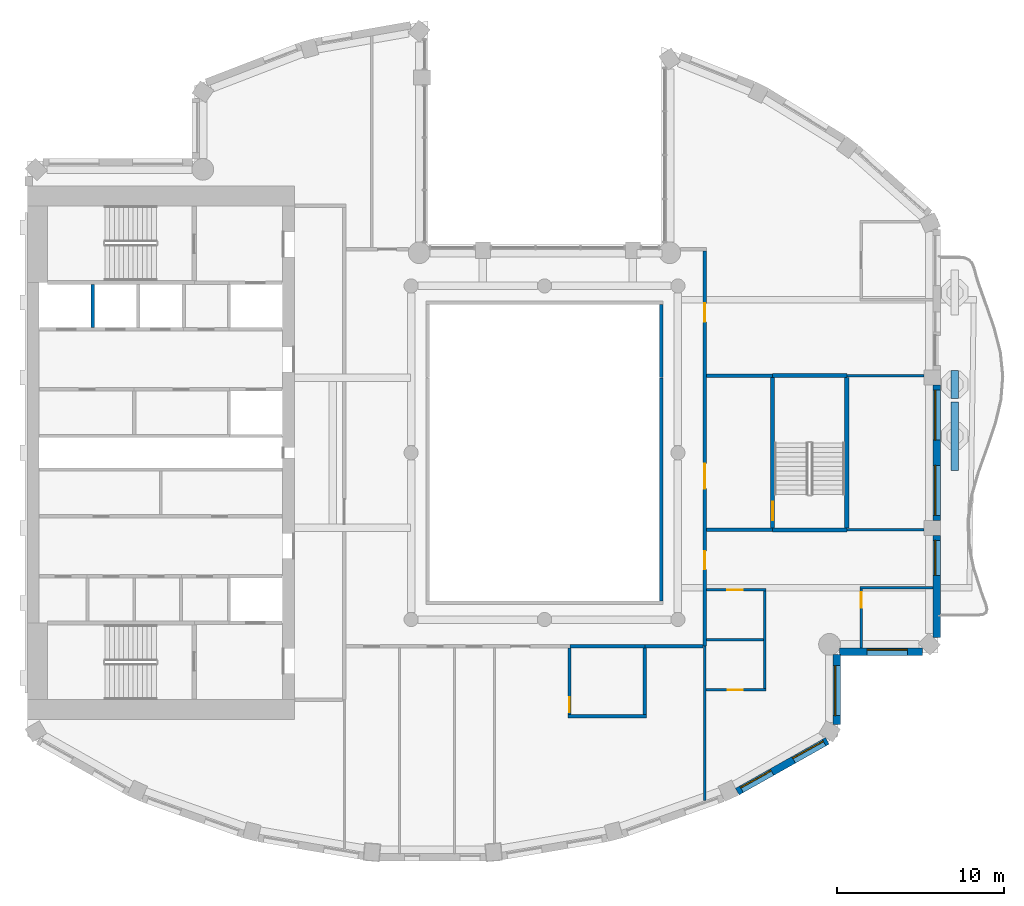
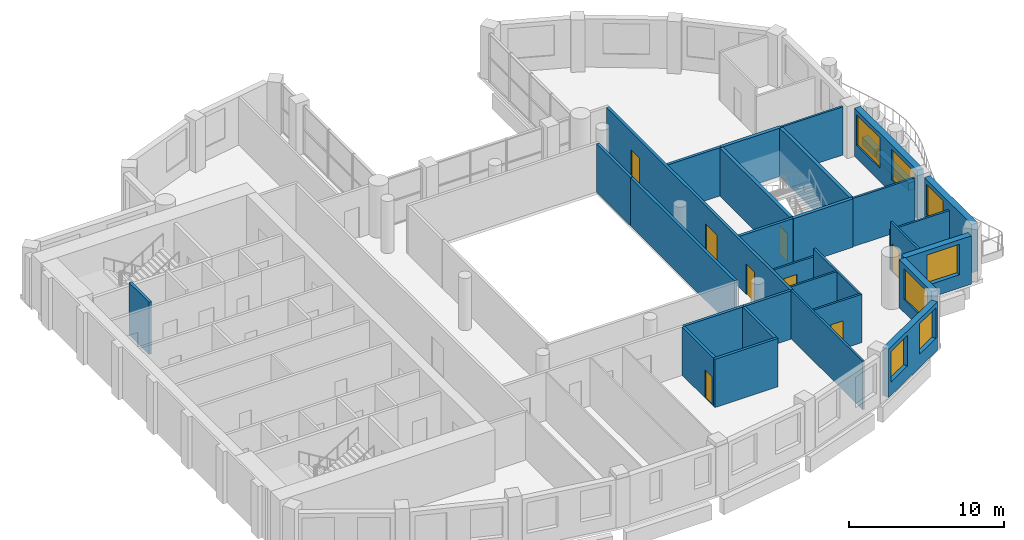
# One storey, part 6 of 14: 31 walls, 8 doors, 7 windows, 15 openings.
"""IFC4 building model written with IfcOpenShell, lengths in metres."""

from ifc_helpers import new_model, si_unit, direction, frame, frame_2d, origin, place, context, subcontext, project, spatial, rectangle, extrude, material, layer, layer_set, type_object, element, fill, save


model = new_model("IFC4")

# Units and contexts
model_context = context("Model", 3, precision=1e-05, world=origin(), true_north=direction((0.0, 1.0)))
body_context = subcontext(model_context, "Body", "Model", "MODEL_VIEW")
ifc_project = project(units=[si_unit("LENGTHUNIT", "METRE"), si_unit("AREAUNIT", "SQUARE_METRE"), si_unit("VOLUMEUNIT", "CUBIC_METRE"), si_unit("PLANEANGLEUNIT", "RADIAN"), si_unit("MASSUNIT", "GRAM", prefix="KILO")], contexts=[model_context])

# Site, building, storey
site_placement = place(None, origin())
site = spatial("IfcSite", under=ifc_project, at=site_placement, CompositionType="ELEMENT")
building_placement = place(site_placement, origin())
building = spatial("IfcBuilding", under=site, at=building_placement, Name="Cypress Arch Tower", CompositionType="ELEMENT")
storey_placement = place(building_placement, frame((0.0, 0.0, 300.800048828125)))
storey = spatial("IfcBuildingStorey", under=building, at=storey_placement, Name="L68", CompositionType="ELEMENT", Elevation=300.800048828125)

# Walls
ifc_material_1 = material(Name="Concrete C40/50, waterproofed", Category="concrete")
ifc_layer_1 = layer(ifc_material_1, 0.449951171875)
ifc_layer_set_1 = layer_set([ifc_layer_1], Name="Balcony planter wall PW450")
wall_type_1 = type_object("IfcWallType", Name="Balcony planter wall PW450", PredefinedType="SOLIDWALL", material=ifc_layer_set_1)
wall_1_placement = place(storey_placement, frame((25.60009765625, -1.050048828125, 0.0), z_axis=(0.0, 0.0, 1.0), x_axis=(0.0, 1.0, 0.0)))
element("IfcWall", 1, at=wall_1_placement, inside=storey, type_object=wall_type_1, Name="Balcony planter wall L68-C17.1", PredefinedType="SOLIDWALL", context=body_context, shape_type="SweptSolid", body=[
    extrude(rectangle(XDim=4.10009765625, YDim=0.449951171875, at=frame_2d((2.050048828125, 0.0))), origin(), (0.0, 0.0, 1.0), 0.599853515625),
])
wall_2_placement = place(storey_placement, frame((25.60009765625, 3.25, 0.0), z_axis=(0.0, 0.0, 1.0), x_axis=(0.0, 1.0, 0.0)))
element("IfcWall", 2, at=wall_2_placement, inside=storey, type_object=wall_type_1, Name="Balcony planter wall L68-C17.2", PredefinedType="SOLIDWALL", context=body_context, shape_type="SweptSolid", body=[
    extrude(rectangle(XDim=1.69140625, YDim=0.449951171875, at=frame_2d((0.845703125, 0.0))), origin(), (0.0, 0.0, 1.0), 0.599853515625),
])

# Wall, openings, windows
ifc_material_2 = material(Name="Brick (red buff blend)", Category="masonry")
ifc_layer_2 = layer(ifc_material_2, 0.449951171875)
ifc_layer_set_2 = layer_set([ifc_layer_2], Name="Brick pier and spandrel wall BW450")
wall_type_2 = type_object("IfcWallType", Name="Brick pier and spandrel wall BW450", PredefinedType="SOLIDWALL", material=ifc_layer_set_2)
wall_3_placement = place(storey_placement, frame((12.55908203125, -20.320068359375, 0.0), z_axis=(0.0, 0.0, 1.0), x_axis=(0.871065783524, 0.491166367714, 0.0)))
wall_3 = element("IfcWall", 3, at=wall_3_placement, inside=storey, type_object=wall_type_2, Name="Brick wall L68 C14.0", PredefinedType="SOLIDWALL", context=body_context, shape_type="SweptSolid", body=[
    extrude(rectangle(XDim=6.1962890625, YDim=0.449951171875, at=frame_2d((3.09814453125, 0.0))), origin(), (0.0, 0.0, 1.0), 3.800048828125),
])
opening_1_placement = place(wall_3_placement, frame((0.29052734375, 0.0, 1.050048828125)))
opening_1 = element("IfcOpeningElement", 4, at=opening_1_placement, cuts=wall_3, Name="Opening W210O", PredefinedType="OPENING", context=body_context, shape_type="SweptSolid", body=[
    extrude(rectangle(XDim=2.10009765625, YDim=2.39990234375, at=frame_2d((1.050048828125, 1.199951171875))), frame((0.0, 0.23486328125, 0.0), z_axis=(0.0, -1.0, 0.0), x_axis=(1.0, 0.0, 0.0)), (0.0, 0.0, 1.0), 0.469970703125),
])
opening_2_placement = place(wall_3_placement, frame((3.875244140625, 0.0, 1.050048828125)))
opening_2 = element("IfcOpeningElement", 5, at=opening_2_placement, cuts=wall_3, Name="Opening W210O", PredefinedType="OPENING", context=body_context, shape_type="SweptSolid", body=[
    extrude(rectangle(XDim=2.10009765625, YDim=2.39990234375, at=frame_2d((1.050048828125, 1.199951171875))), frame((0.0, 0.23486328125, 0.0), z_axis=(0.0, -1.0, 0.0), x_axis=(1.0, 0.0, 0.0)), (0.0, 0.0, 1.0), 0.469970703125),
])
ifc_material_3 = material(Name="Anodised aluminium, bronze finish, clear low-emissivity double glazing", Category="aluminium")
window_type_1 = type_object("IfcWindowType", Name="Window Office 2100x2400", PartitioningType="SINGLE_PANEL", PredefinedType="WINDOW", material=ifc_material_3)
window_1_placement = place(opening_1_placement, origin())
window_1 = element("IfcWindow", 6, at=window_1_placement, inside=storey, type_object=window_type_1, Name="Window L68 C14.0.1", OverallHeight=2.39990234375, OverallWidth=2.10009765625, PartitioningType="SINGLE_PANEL", PredefinedType="WINDOW", context=body_context, shape_type="SweptSolid", body=[
    extrude(rectangle(XDim=2.10009765625, YDim=2.39990234375, at=frame_2d((1.050048828125, 1.199951171875))), frame((0.0, 0.135009765625, 0.0), z_axis=(0.0, -1.0, 0.0), x_axis=(1.0, 0.0, 0.0)), (0.0, 0.0, 1.0), 0.06005859375),
])
fill(opening_1, window_1)
window_2_placement = place(opening_2_placement, origin())
window_2 = element("IfcWindow", 7, at=window_2_placement, inside=storey, type_object=window_type_1, Name="Window L68 C14.0.2", OverallHeight=2.39990234375, OverallWidth=2.10009765625, PartitioningType="SINGLE_PANEL", PredefinedType="WINDOW", context=body_context, shape_type="SweptSolid", body=[
    extrude(rectangle(XDim=2.10009765625, YDim=2.39990234375, at=frame_2d((1.050048828125, 1.199951171875))), frame((0.0, 0.135009765625, 0.0), z_axis=(0.0, -1.0, 0.0), x_axis=(1.0, 0.0, 0.0)), (0.0, 0.0, 1.0), 0.06005859375),
])
fill(opening_2, window_2)

# Wall, opening, window
wall_4_placement = place(storey_placement, frame((18.52490234375, -16.3037109375, 0.0), z_axis=(0.0, 0.0, 1.0), x_axis=(0.0, 1.0, 0.0)))
wall_4 = element("IfcWall", 8, at=wall_4_placement, inside=storey, type_object=wall_type_2, Name="Brick wall L68 C15.0", PredefinedType="SOLIDWALL", context=body_context, shape_type="SweptSolid", body=[
    extrude(rectangle(XDim=4.2021484375, YDim=0.449951171875, at=frame_2d((2.10107421875, 0.0))), origin(), (0.0, 0.0, 1.0), 3.800048828125),
])
opening_3_placement = place(wall_4_placement, frame((0.541259765625, 0.0, 1.050048828125)))
opening_3 = element("IfcOpeningElement", 9, at=opening_3_placement, cuts=wall_4, Name="Opening W300O", PredefinedType="OPENING", context=body_context, shape_type="SweptSolid", body=[
    extrude(rectangle(XDim=3.0, YDim=2.39990234375, at=frame_2d((1.5, 1.199951171875))), frame((0.0, 0.23486328125, 0.0), z_axis=(0.0, -1.0, 0.0), x_axis=(1.0, 0.0, 0.0)), (0.0, 0.0, 1.0), 0.469970703125),
])
ifc_material_4 = material(Name="Anodised aluminium, bronze finish, clear low-emissivity double glazing", Category="aluminium")
window_type_2 = type_object("IfcWindowType", Name="Window Office 3000x2400", PartitioningType="SINGLE_PANEL", PredefinedType="WINDOW", material=ifc_material_4)
window_3_placement = place(opening_3_placement, origin())
window_3 = element("IfcWindow", 10, at=window_3_placement, inside=storey, type_object=window_type_2, Name="Window L68 C15.0.1", OverallHeight=2.39990234375, OverallWidth=3.0, PartitioningType="SINGLE_PANEL", PredefinedType="WINDOW", context=body_context, shape_type="SweptSolid", body=[
    extrude(rectangle(XDim=3.0, YDim=2.39990234375, at=frame_2d((1.5, 1.199951171875))), frame((0.0, 0.135009765625, 0.0), z_axis=(0.0, -1.0, 0.0), x_axis=(1.0, 0.0, 0.0)), (0.0, 0.0, 1.0), 0.06005859375),
])
fill(opening_3, window_3)

wall_5_placement = place(storey_placement, frame((18.701416015625, -11.925048828125, 0.0), z_axis=(0.0, 0.0, 1.0), x_axis=(1.0, 0.0, 0.0)))
wall_5 = element("IfcWall", 11, at=wall_5_placement, inside=storey, type_object=wall_type_2, Name="Brick wall L68 C16.0", PredefinedType="SOLIDWALL", context=body_context, shape_type="SweptSolid", body=[
    extrude(rectangle(XDim=4.962158203125, YDim=0.449951171875, at=frame_2d((2.48095703125, 0.0))), origin(), (0.0, 0.0, 1.0), 3.800048828125),
])
opening_4_placement = place(wall_5_placement, frame((1.6484375, 0.0, 1.050048828125)))
opening_4 = element("IfcOpeningElement", 12, at=opening_4_placement, cuts=wall_5, Name="Opening W240O", PredefinedType="OPENING", context=body_context, shape_type="SweptSolid", body=[
    extrude(rectangle(XDim=2.39990234375, YDim=2.39990234375, at=frame_2d((1.199951171875, 1.199951171875))), frame((0.0, 0.23486328125, 0.0), z_axis=(0.0, -1.0, 0.0), x_axis=(1.0, 0.0, 0.0)), (0.0, 0.0, 1.0), 0.469970703125),
])
ifc_material_5 = material(Name="Anodised aluminium, bronze finish, clear low-emissivity double glazing", Category="aluminium")
window_type_3 = type_object("IfcWindowType", Name="Window Office 2400x2400", PartitioningType="SINGLE_PANEL", PredefinedType="WINDOW", material=ifc_material_5)
window_4_placement = place(opening_4_placement, origin())
window_4 = element("IfcWindow", 13, at=window_4_placement, inside=storey, type_object=window_type_3, Name="Window L68 C16.0.1", OverallHeight=2.39990234375, OverallWidth=2.39990234375, PartitioningType="SINGLE_PANEL", PredefinedType="WINDOW", context=body_context, shape_type="SweptSolid", body=[
    extrude(rectangle(XDim=2.39990234375, YDim=2.39990234375, at=frame_2d((1.199951171875, 1.199951171875))), frame((0.0, 0.135009765625, 0.0), z_axis=(0.0, -1.0, 0.0), x_axis=(1.0, 0.0, 0.0)), (0.0, 0.0, 1.0), 0.06005859375),
])
fill(opening_4, window_4)

wall_6_placement = place(storey_placement, frame((24.52490234375, -11.063720703125, 0.0), z_axis=(0.0, 0.0, 1.0), x_axis=(0.0, 1.0, 0.0)))
wall_6 = element("IfcWall", 14, at=wall_6_placement, inside=storey, type_object=wall_type_2, Name="Brick wall L68 C17.0", PredefinedType="SOLIDWALL", context=body_context, shape_type="SweptSolid", body=[
    extrude(rectangle(XDim=6.11376953125, YDim=0.449951171875, at=frame_2d((3.056884765625, 0.0))), origin(), (0.0, 0.0, 1.0), 3.800048828125),
])
opening_5_placement = place(wall_6_placement, frame((3.713623046875, 0.0, 1.050048828125)))
opening_5 = element("IfcOpeningElement", 15, at=opening_5_placement, cuts=wall_6, Name="Opening W210OD", PredefinedType="OPENING", context=body_context, shape_type="SweptSolid", body=[
    extrude(rectangle(XDim=2.10009765625, YDim=2.39990234375, at=frame_2d((1.050048828125, 1.199951171875))), frame((0.0, 0.23486328125, 0.0), z_axis=(0.0, -1.0, 0.0), x_axis=(1.0, 0.0, 0.0)), (0.0, 0.0, 1.0), 0.469970703125),
])
ifc_material_6 = material(Name="Anodised aluminium, bronze finish, laminated low-emissivity double glazing, large-missile impact rated", Category="aluminium")
window_type_4 = type_object("IfcWindowType", Name="Window Office 2100x2400 debris-rated", PartitioningType="SINGLE_PANEL", PredefinedType="WINDOW", material=ifc_material_6)
window_5_placement = place(opening_5_placement, origin())
window_5 = element("IfcWindow", 16, at=window_5_placement, inside=storey, type_object=window_type_4, Name="Window L68 C17.0.2", OverallHeight=2.39990234375, OverallWidth=2.10009765625, PartitioningType="SINGLE_PANEL", PredefinedType="WINDOW", context=body_context, shape_type="SweptSolid", body=[
    extrude(rectangle(XDim=2.10009765625, YDim=2.39990234375, at=frame_2d((1.050048828125, 1.199951171875))), frame((0.0, 0.135009765625, 0.0), z_axis=(0.0, -1.0, 0.0), x_axis=(1.0, 0.0, 0.0)), (0.0, 0.0, 1.0), 0.06005859375),
])
fill(opening_5, window_5)

# Wall, openings, windows
wall_7_placement = place(storey_placement, frame((24.52490234375, -4.050048828125, 0.0), z_axis=(0.0, 0.0, 1.0), x_axis=(0.0, 1.0, 0.0)))
wall_7 = element("IfcWall", 17, at=wall_7_placement, inside=storey, type_object=wall_type_2, Name="Brick wall L68 C17.1", PredefinedType="SOLIDWALL", context=body_context, shape_type="SweptSolid", body=[
    extrude(rectangle(XDim=8.10009765625, YDim=0.449951171875, at=frame_2d((4.050048828125, 0.0))), origin(), (0.0, 0.0, 1.0), 3.800048828125),
])
opening_6_placement = place(wall_7_placement, frame((0.300048828125, 0.0, 1.050048828125)))
opening_6 = element("IfcOpeningElement", 18, at=opening_6_placement, cuts=wall_7, Name="Opening W300OD", PredefinedType="OPENING", context=body_context, shape_type="SweptSolid", body=[
    extrude(rectangle(XDim=3.0, YDim=2.39990234375, at=frame_2d((1.5, 1.199951171875))), frame((0.0, 0.23486328125, 0.0), z_axis=(0.0, -1.0, 0.0), x_axis=(1.0, 0.0, 0.0)), (0.0, 0.0, 1.0), 0.469970703125),
])
opening_7_placement = place(wall_7_placement, frame((4.800048828125, 0.0, 1.050048828125)))
opening_7 = element("IfcOpeningElement", 19, at=opening_7_placement, cuts=wall_7, Name="Opening W300OD", PredefinedType="OPENING", context=body_context, shape_type="SweptSolid", body=[
    extrude(rectangle(XDim=3.0, YDim=2.39990234375, at=frame_2d((1.5, 1.199951171875))), frame((0.0, 0.23486328125, 0.0), z_axis=(0.0, -1.0, 0.0), x_axis=(1.0, 0.0, 0.0)), (0.0, 0.0, 1.0), 0.469970703125),
])
ifc_material_7 = material(Name="Anodised aluminium, bronze finish, laminated low-emissivity double glazing, large-missile impact rated", Category="aluminium")
window_type_5 = type_object("IfcWindowType", Name="Window Office 3000x2400 debris-rated", PartitioningType="SINGLE_PANEL", PredefinedType="WINDOW", material=ifc_material_7)
window_6_placement = place(opening_6_placement, origin())
window_6 = element("IfcWindow", 20, at=window_6_placement, inside=storey, type_object=window_type_5, Name="Window L68 C17.1.1", OverallHeight=2.39990234375, OverallWidth=3.0, PartitioningType="SINGLE_PANEL", PredefinedType="WINDOW", context=body_context, shape_type="SweptSolid", body=[
    extrude(rectangle(XDim=3.0, YDim=2.39990234375, at=frame_2d((1.5, 1.199951171875))), frame((0.0, 0.135009765625, 0.0), z_axis=(0.0, -1.0, 0.0), x_axis=(1.0, 0.0, 0.0)), (0.0, 0.0, 1.0), 0.06005859375),
])
fill(opening_6, window_6)
window_7_placement = place(opening_7_placement, origin())
window_7 = element("IfcWindow", 21, at=window_7_placement, inside=storey, type_object=window_type_5, Name="Window L68 C17.1.2", OverallHeight=2.39990234375, OverallWidth=3.0, PartitioningType="SINGLE_PANEL", PredefinedType="WINDOW", context=body_context, shape_type="SweptSolid", body=[
    extrude(rectangle(XDim=3.0, YDim=2.39990234375, at=frame_2d((1.5, 1.199951171875))), frame((0.0, 0.135009765625, 0.0), z_axis=(0.0, -1.0, 0.0), x_axis=(1.0, 0.0, 0.0)), (0.0, 0.0, 1.0), 0.06005859375),
])
fill(opening_7, window_7)

# Walls
ifc_material_8 = material(Name="Concrete blockwork, plastered, rated", Category="masonry")
ifc_layer_3 = layer(ifc_material_8, 0.199951171875)
ifc_layer_set_3 = layer_set([ifc_layer_3], Name="Corridor wall FW200")
wall_type_3 = type_object("IfcWallType", Name="Corridor wall FW200", PredefinedType="PARTITIONING", material=ifc_layer_set_3)
wall_8_placement = place(storey_placement, frame((7.02099609375, -11.60009765625, 0.0), z_axis=(0.0, 0.0, 1.0), x_axis=(1.0, 0.0, 0.0)))
element("IfcWall", 22, at=wall_8_placement, inside=storey, type_object=wall_type_3, Name="Corridor wall", PredefinedType="PARTITIONING", context=body_context, shape_type="SweptSolid", body=[
    extrude(rectangle(XDim=3.47900390625, YDim=0.199951171875, at=frame_2d((1.739501953125, 0.0))), origin(), (0.0, 0.0, 1.0), 3.800048828125),
])
wall_9_placement = place(storey_placement, frame((8.0, -8.89990234375, 0.0), z_axis=(0.0, 0.0, 1.0), x_axis=(0.0, 1.0, 0.0)))
element("IfcWall", 23, at=wall_9_placement, inside=storey, type_object=wall_type_3, Name="Corridor wall", PredefinedType="PARTITIONING", context=body_context, shape_type="SweptSolid", body=[
    extrude(rectangle(XDim=13.3798828125, YDim=0.199951171875, at=frame_2d((6.68994140625, 0.0))), origin(), (0.0, 0.0, 1.0), 3.800048828125),
])
wall_10_placement = place(storey_placement, frame((8.0, 4.52001953125, 0.0), z_axis=(0.0, 0.0, 1.0), x_axis=(0.0, 1.0, 0.0)))
element("IfcWall", 24, at=wall_10_placement, inside=storey, type_object=wall_type_3, Name="Corridor wall", PredefinedType="PARTITIONING", context=body_context, shape_type="SweptSolid", body=[
    extrude(rectangle(XDim=4.3798828125, YDim=0.199951171875, at=frame_2d((2.18994140625, 0.0))), origin(), (0.0, 0.0, 1.0), 3.800048828125),
])

# Wall, openings, doors
wall_11_placement = place(storey_placement, frame((10.60009765625, -11.60009765625, 0.0), z_axis=(0.0, 0.0, 1.0), x_axis=(0.0, 1.0, 0.0)))
wall_11 = element("IfcWall", 25, at=wall_11_placement, inside=storey, type_object=wall_type_3, Name="Corridor wall", PredefinedType="PARTITIONING", context=body_context, shape_type="SweptSolid", body=[
    extrude(rectangle(XDim=23.7001953125, YDim=0.199951171875, at=frame_2d((11.85009765625, 0.0))), origin(), (0.0, 0.0, 1.0), 3.800048828125),
])
opening_8_placement = place(wall_11_placement, frame((9.449951171875, 0.0, 0.0)))
opening_8 = element("IfcOpeningElement", 26, at=opening_8_placement, cuts=wall_11, Name="Opening D07", PredefinedType="OPENING", context=body_context, shape_type="SweptSolid", body=[
    extrude(rectangle(XDim=1.5, YDim=2.39990234375, at=frame_2d((0.75, 1.199951171875))), frame((0.0, 0.10986328125, 0.0), z_axis=(0.0, -1.0, 0.0), x_axis=(1.0, 0.0, 0.0)), (0.0, 0.0, 1.0), 0.219970703125),
])
opening_9_placement = place(wall_11_placement, frame((19.449951171875, 0.0, 0.0)))
opening_9 = element("IfcOpeningElement", 27, at=opening_9_placement, cuts=wall_11, Name="Opening D01", PredefinedType="OPENING", context=body_context, shape_type="SweptSolid", body=[
    extrude(rectangle(XDim=1.10009765625, YDim=2.39990234375, at=frame_2d((0.550048828125, 1.199951171875))), frame((0.0, 0.10986328125, 0.0), z_axis=(0.0, -1.0, 0.0), x_axis=(1.0, 0.0, 0.0)), (0.0, 0.0, 1.0), 0.219970703125),
])
opening_10_placement = place(wall_11_placement, frame((4.60009765625, 0.0, 0.0)))
opening_10 = element("IfcOpeningElement", 28, at=opening_10_placement, cuts=wall_11, Name="Opening D01", PredefinedType="OPENING", context=body_context, shape_type="SweptSolid", body=[
    extrude(rectangle(XDim=1.10009765625, YDim=2.39990234375, at=frame_2d((0.550048828125, 1.199951171875))), frame((0.0, 0.10986328125, 0.0), z_axis=(0.0, -1.0, 0.0), x_axis=(1.0, 0.0, 0.0)), (0.0, 0.0, 1.0), 0.219970703125),
])
ifc_material_9 = material(Name="Steel framed glazed door, fire resisting", Category="steel")
door_type_1 = type_object("IfcDoorType", Name="Lobby door D07 1500x2400", OperationType="DOUBLE_DOOR_SINGLE_SWING", PredefinedType="DOOR", material=ifc_material_9)
door_1_placement = place(opening_8_placement, origin())
door_1 = element("IfcDoor", 29, at=door_1_placement, inside=storey, type_object=door_type_1, Name="Lobby door", OperationType="DOUBLE_DOOR_SINGLE_SWING", OverallHeight=2.39990234375, OverallWidth=1.5, PredefinedType="DOOR", context=body_context, shape_type="SweptSolid", body=[
    extrude(rectangle(XDim=1.5, YDim=2.39990234375, at=frame_2d((0.75, 1.199951171875))), frame((0.0, 0.02490234375, 0.0), z_axis=(0.0, -1.0, 0.0), x_axis=(1.0, 0.0, 0.0)), (0.0, 0.0, 1.0), 0.050048828125),
])
fill(opening_8, door_1)
ifc_material_10 = material(Name="Timber flush door, fire resisting, self-closing", Category="wood")
door_type_2 = type_object("IfcDoorType", Name="Unit entrance door D01 1100x2400", OperationType="SINGLE_SWING_LEFT", PredefinedType="DOOR", material=ifc_material_10)
door_2_placement = place(opening_9_placement, origin())
door_2 = element("IfcDoor", 30, at=door_2_placement, inside=storey, type_object=door_type_2, Name="Unit entrance door", OperationType="SINGLE_SWING_LEFT", OverallHeight=2.39990234375, OverallWidth=1.10009765625, PredefinedType="DOOR", context=body_context, shape_type="SweptSolid", body=[
    extrude(rectangle(XDim=1.10009765625, YDim=2.39990234375, at=frame_2d((0.550048828125, 1.199951171875))), frame((0.0, 0.02490234375, 0.0), z_axis=(0.0, -1.0, 0.0), x_axis=(1.0, 0.0, 0.0)), (0.0, 0.0, 1.0), 0.050048828125),
])
fill(opening_9, door_2)
door_3_placement = place(opening_10_placement, origin())
door_3 = element("IfcDoor", 31, at=door_3_placement, inside=storey, type_object=door_type_2, Name="Unit entrance door", OperationType="SINGLE_SWING_RIGHT", OverallHeight=2.39990234375, OverallWidth=1.10009765625, PredefinedType="DOOR", context=body_context, shape_type="SweptSolid", body=[
    extrude(rectangle(XDim=1.10009765625, YDim=2.39990234375, at=frame_2d((0.550048828125, 1.199951171875))), frame((0.0, 0.02490234375, 0.0), z_axis=(0.0, -1.0, 0.0), x_axis=(1.0, 0.0, 0.0)), (0.0, 0.0, 1.0), 0.050048828125),
])
fill(opening_10, door_3)

# Walls
for number, where, z_axis, x_axis, name in (
    (32, (10.699951171875, -4.625, 0.0), (0.0, 0.0, 1.0), (1.0, 0.0, 0.0), "Corridor wall"),
    (33, (10.699951171875, 4.625, 0.0), (0.0, 0.0, 1.0), (1.0, 0.0, 0.0), "Corridor wall"),
):
    element("IfcWall", number, at=place(storey_placement, frame(where, z_axis=z_axis, x_axis=x_axis)), inside=storey, type_object=wall_type_3, Name=name, PredefinedType="PARTITIONING", context=body_context, shape_type="SweptSolid", body=[
        extrude(rectangle(XDim=3.97509765625, YDim=0.199951171875, at=frame_2d((1.987548828125, 0.0))), origin(), (0.0, 0.0, 1.0), 3.800048828125),
    ])
ifc_material_11 = material(Name="Blockwork, plastered both sides", Category="masonry")
ifc_layer_4 = layer(ifc_material_11, 0.14990234375)
ifc_layer_set_4 = layer_set([ifc_layer_4], Name="Partition PW150")
wall_type_4 = type_object("IfcWallType", Name="Partition PW150", PredefinedType="PARTITIONING", material=ifc_layer_set_4)
wall_12_placement = place(storey_placement, frame((10.60009765625, -20.864013671875, 0.0), z_axis=(0.0, 0.0, 1.0), x_axis=(0.0, 1.0, 0.0)))
element("IfcWall", 34, at=wall_12_placement, inside=storey, type_object=wall_type_4, Name="Partition", PredefinedType="PARTITIONING", context=body_context, shape_type="SweptSolid", body=[
    extrude(rectangle(XDim=9.263916015625, YDim=0.14990234375, at=frame_2d((4.6318359375, 0.0))), origin(), (0.0, 0.0, 1.0), 3.800048828125),
])

# Wall, opening, door
wall_13_placement = place(storey_placement, frame((10.675048828125, -14.22509765625, 0.0), z_axis=(0.0, 0.0, 1.0), x_axis=(1.0, 0.0, 0.0)))
wall_13 = element("IfcWall", 35, at=wall_13_placement, inside=storey, type_object=wall_type_4, Name="Partition", PredefinedType="PARTITIONING", context=body_context, shape_type="SweptSolid", body=[
    extrude(rectangle(XDim=3.599853515625, YDim=0.14990234375, at=frame_2d((1.7998046875, 0.0))), origin(), (0.0, 0.0, 1.0), 3.800048828125),
])
opening_11_placement = place(wall_13_placement, frame((1.300048828125, 0.0, 0.0)))
opening_11 = element("IfcOpeningElement", 36, at=opening_11_placement, cuts=wall_13, Name="Opening D05", PredefinedType="OPENING", context=body_context, shape_type="SweptSolid", body=[
    extrude(rectangle(XDim=0.89990234375, YDim=2.199951171875, at=frame_2d((0.449951171875, 1.10009765625))), frame((0.0, 0.0849609375, 0.0), z_axis=(0.0, -1.0, 0.0), x_axis=(1.0, 0.0, 0.0)), (0.0, 0.0, 1.0), 0.169921875),
])
ifc_material_12 = material(Name="Timber flush door", Category="wood")
door_type_3 = type_object("IfcDoorType", Name="Service door D05 900x2200", OperationType="SINGLE_SWING_LEFT", PredefinedType="DOOR", material=ifc_material_12)
door_4_placement = place(opening_11_placement, origin())
door_4 = element("IfcDoor", 37, at=door_4_placement, inside=storey, type_object=door_type_3, Name="Service door", OperationType="SINGLE_SWING_RIGHT", OverallHeight=2.199951171875, OverallWidth=0.89990234375, PredefinedType="DOOR", context=body_context, shape_type="SweptSolid", body=[
    extrude(rectangle(XDim=0.89990234375, YDim=2.199951171875, at=frame_2d((0.449951171875, 1.10009765625))), frame((0.0, 0.02490234375, 0.0), z_axis=(0.0, -1.0, 0.0), x_axis=(1.0, 0.0, 0.0)), (0.0, 0.0, 1.0), 0.050048828125),
])
fill(opening_11, door_4)

# Wall
wall_14_placement = place(storey_placement, frame((10.699951171875, -11.22509765625, 0.0), z_axis=(0.0, 0.0, 1.0), x_axis=(1.0, 0.0, 0.0)))
element("IfcWall", 38, at=wall_14_placement, inside=storey, type_object=wall_type_4, Name="Partition", PredefinedType="PARTITIONING", context=body_context, shape_type="SweptSolid", body=[
    extrude(rectangle(XDim=3.425048828125, YDim=0.14990234375, at=frame_2d((1.71240234375, 0.0))), origin(), (0.0, 0.0, 1.0), 3.800048828125),
])

# Wall, opening, door
wall_15_placement = place(storey_placement, frame((10.699951171875, -8.22509765625, 0.0), z_axis=(0.0, 0.0, 1.0), x_axis=(1.0, 0.0, 0.0)))
wall_15 = element("IfcWall", 39, at=wall_15_placement, inside=storey, type_object=wall_type_4, Name="Partition", PredefinedType="PARTITIONING", context=body_context, shape_type="SweptSolid", body=[
    extrude(rectangle(XDim=3.574951171875, YDim=0.14990234375, at=frame_2d((1.78759765625, 0.0))), origin(), (0.0, 0.0, 1.0), 3.14990234375),
])
opening_12_placement = place(wall_15_placement, frame((1.25, 0.0, 0.0)))
opening_12 = element("IfcOpeningElement", 40, at=opening_12_placement, cuts=wall_15, Name="Opening D12", PredefinedType="OPENING", context=body_context, shape_type="SweptSolid", body=[
    extrude(rectangle(XDim=0.949951171875, YDim=2.199951171875, at=frame_2d((0.47509765625, 1.10009765625))), frame((0.0, 0.0849609375, 0.0), z_axis=(0.0, -1.0, 0.0), x_axis=(1.0, 0.0, 0.0)), (0.0, 0.0, 1.0), 0.169921875),
])
ifc_material_13 = material(Name="Timber flush door", Category="wood")
door_type_4 = type_object("IfcDoorType", Name="Room door D12 950x2200", OperationType="SINGLE_SWING_LEFT", PredefinedType="DOOR", material=ifc_material_13)
door_5_placement = place(opening_12_placement, origin())
door_5 = element("IfcDoor", 41, at=door_5_placement, inside=storey, type_object=door_type_4, Name="Room door", OperationType="SINGLE_SWING_LEFT", OverallHeight=2.199951171875, OverallWidth=0.949951171875, PredefinedType="DOOR", context=body_context, shape_type="SweptSolid", body=[
    extrude(rectangle(XDim=0.949951171875, YDim=2.199951171875, at=frame_2d((0.47509765625, 1.10009765625))), frame((0.0, 0.02490234375, 0.0), z_axis=(0.0, -1.0, 0.0), x_axis=(1.0, 0.0, 0.0)), (0.0, 0.0, 1.0), 0.050048828125),
])
fill(opening_12, door_5)

# Walls
wall_16_placement = place(storey_placement, frame((14.199951171875, -14.14990234375, 0.0), z_axis=(0.0, 0.0, 1.0), x_axis=(0.0, 1.0, 0.0)))
element("IfcWall", 42, at=wall_16_placement, inside=storey, type_object=wall_type_4, Name="Partition", PredefinedType="PARTITIONING", context=body_context, shape_type="SweptSolid", body=[
    extrude(rectangle(XDim=5.849853515625, YDim=0.14990234375, at=frame_2d((2.9248046875, 0.0))), origin(), (0.0, 0.0, 1.0), 3.800048828125),
])
for number, where, z_axis, x_axis, name in (
    (43, (19.14501953125, -4.625, 0.0), (0.0, 0.0, 1.0), (1.0, 0.0, 0.0), "Partition"),
    (44, (19.14501953125, 4.625, 0.0), (0.0, 0.0, 1.0), (1.0, 0.0, 0.0), "Partition"),
):
    element("IfcWall", number, at=place(storey_placement, frame(where, z_axis=z_axis, x_axis=x_axis)), inside=storey, type_object=wall_type_4, Name=name, PredefinedType="PARTITIONING", context=body_context, shape_type="SweptSolid", body=[
        extrude(rectangle(XDim=4.60498046875, YDim=0.14990234375, at=frame_2d((2.302490234375, 0.0))), origin(), (0.0, 0.0, 1.0), 3.800048828125),
    ])

# Wall, opening, door
wall_17_placement = place(storey_placement, frame((20.0, -11.699951171875, 0.0), z_axis=(0.0, 0.0, 1.0), x_axis=(0.0, 1.0, 0.0)))
wall_17 = element("IfcWall", 45, at=wall_17_placement, inside=storey, type_object=wall_type_4, Name="Partition", PredefinedType="PARTITIONING", context=body_context, shape_type="SweptSolid", body=[
    extrude(rectangle(XDim=3.52490234375, YDim=0.14990234375, at=frame_2d((1.762451171875, 0.0))), origin(), (0.0, 0.0, 1.0), 3.800048828125),
])
opening_13_placement = place(wall_17_placement, frame((2.39990234375, 0.0, 0.0)))
opening_13 = element("IfcOpeningElement", 46, at=opening_13_placement, cuts=wall_17, Name="Opening D12", PredefinedType="OPENING", context=body_context, shape_type="SweptSolid", body=[
    extrude(rectangle(XDim=0.949951171875, YDim=2.199951171875, at=frame_2d((0.47509765625, 1.10009765625))), frame((0.0, 0.0849609375, 0.0), z_axis=(0.0, -1.0, 0.0), x_axis=(1.0, 0.0, 0.0)), (0.0, 0.0, 1.0), 0.169921875),
])
door_6_placement = place(opening_13_placement, origin())
door_6 = element("IfcDoor", 47, at=door_6_placement, inside=storey, type_object=door_type_4, Name="Room door", OperationType="SINGLE_SWING_RIGHT", OverallHeight=2.199951171875, OverallWidth=0.949951171875, PredefinedType="DOOR", context=body_context, shape_type="SweptSolid", body=[
    extrude(rectangle(XDim=0.949951171875, YDim=2.199951171875, at=frame_2d((0.47509765625, 1.10009765625))), frame((0.0, 0.02490234375, 0.0), z_axis=(0.0, -1.0, 0.0), x_axis=(1.0, 0.0, 0.0)), (0.0, 0.0, 1.0), 0.050048828125),
])
fill(opening_13, door_6)

# Walls
wall_18_placement = place(storey_placement, frame((19.925048828125, -8.10009765625, 0.0), z_axis=(0.0, 0.0, 1.0), x_axis=(1.0, 0.0, 0.0)))
element("IfcWall", 48, at=wall_18_placement, inside=storey, type_object=wall_type_4, Name="Partition", PredefinedType="PARTITIONING", context=body_context, shape_type="SweptSolid", body=[
    extrude(rectangle(XDim=4.375, YDim=0.14990234375, at=frame_2d((2.1875, 0.0))), origin(), (0.0, 0.0, 1.0), 3.14990234375),
])
ifc_material_14 = material(Name="Reinforced blockwork, plastered, rated", Category="masonry")
ifc_layer_5 = layer(ifc_material_14, 0.199951171875)
ifc_layer_set_5 = layer_set([ifc_layer_5], Name="Plant and riser wall PL200")
wall_type_5 = type_object("IfcWallType", Name="Plant and riser wall PL200", PredefinedType="PARTITIONING", material=ifc_layer_set_5)
wall_19_placement = place(storey_placement, frame((2.52099609375, -11.60009765625, 0.0), z_axis=(0.0, 0.0, 1.0), x_axis=(1.0, 0.0, 0.0)))
element("IfcWall", 49, at=wall_19_placement, inside=storey, type_object=wall_type_5, Name="Plant and riser wall", PredefinedType="PARTITIONING", context=body_context, shape_type="SweptSolid", body=[
    extrude(rectangle(XDim=4.5, YDim=0.199951171875, at=frame_2d((2.25, 0.0))), origin(), (0.0, 0.0, 1.0), 3.800048828125),
])

# Wall, opening, door
wall_20_placement = place(storey_placement, frame((2.5009765625, -15.699951171875, 0.0), z_axis=(0.0, 0.0, 1.0), x_axis=(0.0, 1.0, 0.0)))
wall_20 = element("IfcWall", 50, at=wall_20_placement, inside=storey, type_object=wall_type_5, Name="Plant and riser wall", PredefinedType="PARTITIONING", context=body_context, shape_type="SweptSolid", body=[
    extrude(rectangle(XDim=4.0, YDim=0.199951171875, at=frame_2d((2.0, 0.0))), origin(), (0.0, 0.0, 1.0), 3.800048828125),
])
opening_14_placement = place(wall_20_placement, frame((0.14990234375, 0.0, 0.0)))
opening_14 = element("IfcOpeningElement", 51, at=opening_14_placement, cuts=wall_20, Name="Opening D05", PredefinedType="OPENING", context=body_context, shape_type="SweptSolid", body=[
    extrude(rectangle(XDim=0.89990234375, YDim=2.199951171875, at=frame_2d((0.449951171875, 1.10009765625))), frame((0.0, 0.10986328125, 0.0), z_axis=(0.0, -1.0, 0.0), x_axis=(1.0, 0.0, 0.0)), (0.0, 0.0, 1.0), 0.219970703125),
])
door_7_placement = place(opening_14_placement, origin())
door_7 = element("IfcDoor", 52, at=door_7_placement, inside=storey, type_object=door_type_3, Name="Service door", OperationType="SINGLE_SWING_RIGHT", OverallHeight=2.199951171875, OverallWidth=0.89990234375, PredefinedType="DOOR", context=body_context, shape_type="SweptSolid", body=[
    extrude(rectangle(XDim=0.89990234375, YDim=2.199951171875, at=frame_2d((0.449951171875, 1.10009765625))), frame((0.0, 0.02490234375, 0.0), z_axis=(0.0, -1.0, 0.0), x_axis=(1.0, 0.0, 0.0)), (0.0, 0.0, 1.0), 0.050048828125),
])
fill(opening_14, door_7)

# Walls
wall_21_placement = place(storey_placement, frame((2.40087890625, -15.800048828125, 0.0), z_axis=(0.0, 0.0, 1.0), x_axis=(1.0, 0.0, 0.0)))
element("IfcWall", 53, at=wall_21_placement, inside=storey, type_object=wall_type_5, Name="Plant and riser wall", PredefinedType="PARTITIONING", context=body_context, shape_type="SweptSolid", body=[
    extrude(rectangle(XDim=4.7001953125, YDim=0.199951171875, at=frame_2d((2.35009765625, 0.0))), origin(), (0.0, 0.0, 1.0), 3.800048828125),
])
wall_22_placement = place(storey_placement, frame((7.0009765625, -15.699951171875, 0.0), z_axis=(0.0, 0.0, 1.0), x_axis=(0.0, 1.0, 0.0)))
element("IfcWall", 54, at=wall_22_placement, inside=storey, type_object=wall_type_5, Name="Plant and riser wall", PredefinedType="PARTITIONING", context=body_context, shape_type="SweptSolid", body=[
    extrude(rectangle(XDim=4.0, YDim=0.199951171875, at=frame_2d((2.0, 0.0))), origin(), (0.0, 0.0, 1.0), 3.800048828125),
])
ifc_material_15 = material(Name="Concrete C50/60", Category="concrete")
ifc_layer_6 = layer(ifc_material_15, 0.199951171875)
ifc_layer_set_6 = layer_set([ifc_layer_6], Name="Shaft wall SH200")
wall_type_6 = type_object("IfcWallType", Name="Shaft wall SH200", PredefinedType="SHEAR", material=ifc_layer_set_6)
wall_23_placement = place(storey_placement, frame((-26.080078125, 7.5, 0.0), z_axis=(0.0, 0.0, 1.0), x_axis=(0.0, 1.0, 0.0)))
element("IfcWall", 55, at=wall_23_placement, inside=storey, type_object=wall_type_6, Name="Shaft wall", PredefinedType="SHEAR", context=body_context, shape_type="SweptSolid", body=[
    extrude(rectangle(XDim=2.574951171875, YDim=0.199951171875, at=frame_2d((1.28759765625, 0.0))), origin(), (0.0, 0.0, 1.0), 4.099853515625),
])

# Wall, opening, door
ifc_material_16 = material(Name="Concrete C50/60", Category="concrete")
ifc_layer_7 = layer(ifc_material_16, 0.25)
ifc_layer_set_7 = layer_set([ifc_layer_7], Name="Stair enclosure wall SW250")
wall_type_7 = type_object("IfcWallType", Name="Stair enclosure wall SW250", PredefinedType="SHEAR", material=ifc_layer_set_7)
wall_24_placement = place(storey_placement, frame((14.675048828125, -4.5, 0.0), z_axis=(0.0, 0.0, 1.0), x_axis=(0.0, 1.0, 0.0)))
wall_24 = element("IfcWall", 56, at=wall_24_placement, inside=storey, type_object=wall_type_7, Name="Stair enclosure wall", PredefinedType="SHEAR", context=body_context, shape_type="SweptSolid", body=[
    extrude(rectangle(XDim=9.0, YDim=0.25, at=frame_2d((4.5, 0.0))), origin(), (0.0, 0.0, 1.0), 3.800048828125),
])
opening_15_placement = place(wall_24_placement, frame((0.449951171875, 0.0, 0.0)))
opening_15 = element("IfcOpeningElement", 57, at=opening_15_placement, cuts=wall_24, Name="Opening D06", PredefinedType="OPENING", context=body_context, shape_type="SweptSolid", body=[
    extrude(rectangle(XDim=1.10009765625, YDim=2.199951171875, at=frame_2d((0.550048828125, 1.10009765625))), frame((0.0, 0.135009765625, 0.0), z_axis=(0.0, -1.0, 0.0), x_axis=(1.0, 0.0, 0.0)), (0.0, 0.0, 1.0), 0.27001953125),
])
ifc_material_17 = material(Name="Steel door, fire resisting, panic bar", Category="steel")
door_type_5 = type_object("IfcDoorType", Name="Stair door D06 1100x2200", OperationType="SINGLE_SWING_LEFT", PredefinedType="DOOR", material=ifc_material_17)
door_8_placement = place(opening_15_placement, origin())
door_8 = element("IfcDoor", 58, at=door_8_placement, inside=storey, type_object=door_type_5, Name="Stair door", OperationType="SINGLE_SWING_RIGHT", OverallHeight=2.199951171875, OverallWidth=1.10009765625, PredefinedType="DOOR", context=body_context, shape_type="SweptSolid", body=[
    extrude(rectangle(XDim=1.10009765625, YDim=2.199951171875, at=frame_2d((0.550048828125, 1.10009765625))), frame((0.0, 0.02490234375, 0.0), z_axis=(0.0, -1.0, 0.0), x_axis=(1.0, 0.0, 0.0)), (0.0, 0.0, 1.0), 0.050048828125),
])
fill(opening_15, door_8)

# Walls
for number, where, z_axis, x_axis, name in (
    (59, (14.675048828125, -4.625, 0.0), (0.0, 0.0, 1.0), (1.0, 0.0, 0.0), "Stair enclosure wall"),
    (60, (14.675048828125, 4.625, 0.0), (0.0, 0.0, 1.0), (1.0, 0.0, 0.0), "Stair enclosure wall"),
):
    element("IfcWall", number, at=place(storey_placement, frame(where, z_axis=z_axis, x_axis=x_axis)), inside=storey, type_object=wall_type_7, Name=name, PredefinedType="SHEAR", context=body_context, shape_type="SweptSolid", body=[
        extrude(rectangle(XDim=4.449951171875, YDim=0.25, at=frame_2d((2.22509765625, 0.0))), origin(), (0.0, 0.0, 1.0), 3.800048828125),
    ])
wall_25_placement = place(storey_placement, frame((19.125, -4.5, 0.0), z_axis=(0.0, 0.0, 1.0), x_axis=(0.0, 1.0, 0.0)))
element("IfcWall", 61, at=wall_25_placement, inside=storey, type_object=wall_type_7, Name="Stair enclosure wall", PredefinedType="SHEAR", context=body_context, shape_type="SweptSolid", body=[
    extrude(rectangle(XDim=9.0, YDim=0.25, at=frame_2d((4.5, 0.0))), origin(), (0.0, 0.0, 1.0), 3.800048828125),
])

save(model, "model.ifc")
